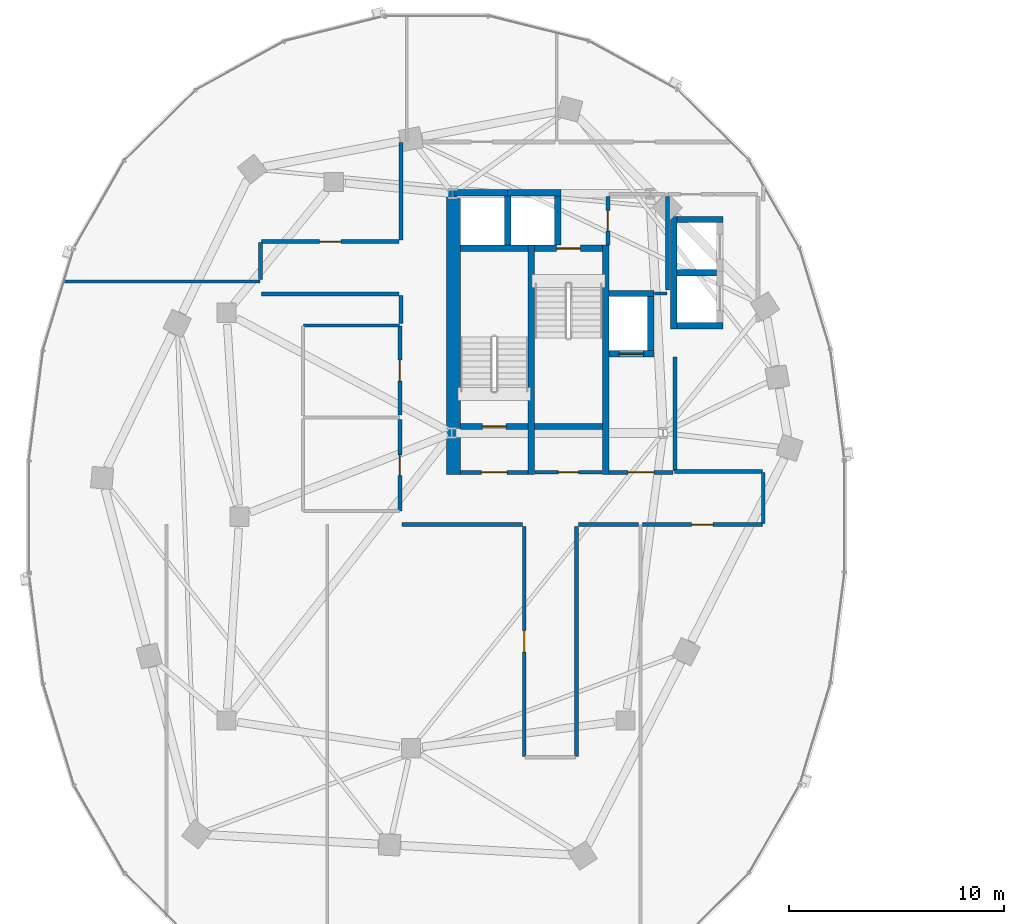
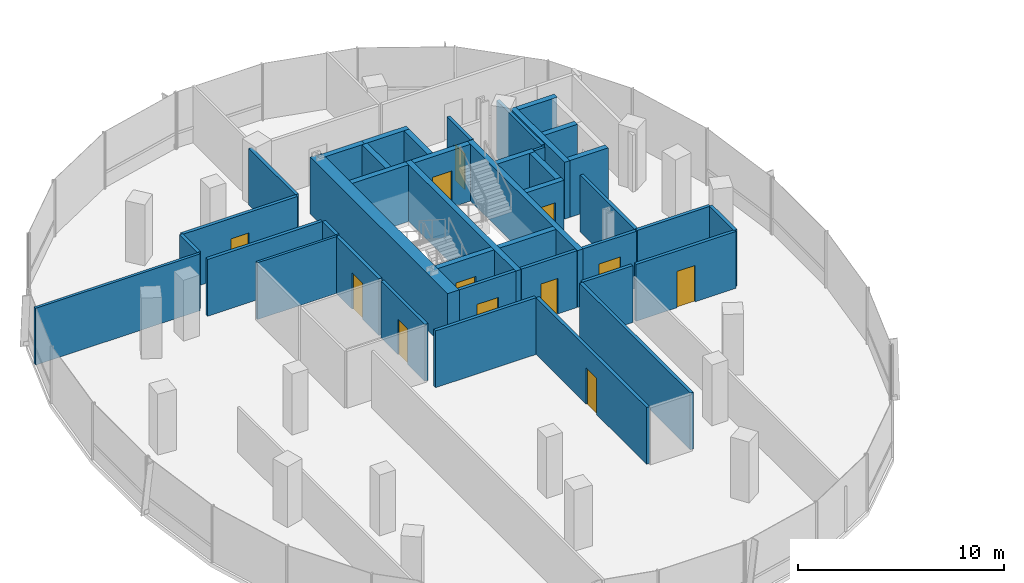
# One storey, part 12 of 22: 41 walls, 12 doors, 12 openings.
"""IFC4 building model written with IfcOpenShell, lengths in metres."""

import ifcopenshell
import ifcopenshell.guid

model = None  # the IFC model being written
_history = None  # IfcOwnerHistory: only IFC2X3 demands one
_inside = {}  # id of a spatial element -> (the spatial element, [elements in it])
_under = {}  # id of a project, library or spatial element -> (it, [spatial elements below it])
_declared = {}  # id of a project -> (the project, [libraries it declares])
_typed = {}  # id of a type object -> (the type object, [elements of that type])
_made_of = {}  # id of a material, layer set ... -> (it, [elements and type objects made of it])


def new_model(schema):
    """Start an empty IFC model of exactly this schema.

    Asked for "IFC4X3", IfcOpenShell would pick the latest addendum, in which some entities
    have other attributes; the version numbers below select the first issue.
    IFC2X3 requires an IfcOwnerHistory on every rooted entity: one is made here for all.
    """
    global model, _history
    if schema == "IFC4X3":
        model = ifcopenshell.file(schema_version=(4, 3, 0, 0))
    else:
        model = ifcopenshell.file(schema=schema)
    _inside.clear()
    _under.clear()
    _declared.clear()
    _typed.clear()
    _made_of.clear()
    _history = None
    if model.schema == "IFC2X3":
        org = make("IfcOrganization", Name="unknown")
        user = make(
            "IfcPersonAndOrganization",
            ThePerson=make("IfcPerson", FamilyName="unknown"),
            TheOrganization=org,
        )
        app = make(
            "IfcApplication",
            ApplicationDeveloper=org,
            Version="unknown",
            ApplicationFullName="unknown",
            ApplicationIdentifier="unknown",
        )
        _history = make(
            "IfcOwnerHistory",
            OwningUser=user,
            OwningApplication=app,
            ChangeAction="ADDED",
            CreationDate=0,
        )
    return model


def make(cls, **values):
    """One entity of the class cls with the attributes given. An attribute that is None is left unset."""
    return model.create_entity(
        cls, **{name: value for name, value in values.items() if value is not None}
    )


def rooted(cls, **values):
    """An entity with a GlobalId (a new one), such as an element, a storey or a relation."""
    return make(cls, GlobalId=ifcopenshell.guid.new(), OwnerHistory=_history, **values)


def si_unit(unit_type, name, prefix=None):
    """IfcSIUnit, for example si_unit("LENGTHUNIT", "METRE", prefix="MILLI")."""
    return make("IfcSIUnit", UnitType=unit_type, Prefix=prefix, Name=name)


def assignment(units):
    """IfcUnitAssignment: the units of a project."""
    return None if units is None else make("IfcUnitAssignment", Units=units)


def point(xyz):
    """IfcCartesianPoint."""
    return None if xyz is None else make("IfcCartesianPoint", Coordinates=xyz)


def direction(xyz):
    """IfcDirection."""
    return None if xyz is None else make("IfcDirection", DirectionRatios=xyz)


def frame(location, z_axis=None, x_axis=None):
    """IfcAxis2Placement3D, a coordinate frame: its origin and axes. An axis left out is left unset."""
    return make(
        "IfcAxis2Placement3D",
        Location=point(location),
        Axis=direction(z_axis),
        RefDirection=direction(x_axis),
    )


def frame_2d(location, x_axis=None):
    """IfcAxis2Placement2D, a coordinate frame in the plane: its origin and x axis."""
    return make(
        "IfcAxis2Placement2D", Location=point(location), RefDirection=direction(x_axis)
    )


def origin():
    """The frame at (0, 0, 0) with its axes left unset."""
    return frame((0.0, 0.0, 0.0))


def place(relative_to, where):
    """IfcLocalPlacement: puts the frame where relative to a parent placement (None: the world)."""
    return make(
        "IfcLocalPlacement", PlacementRelTo=relative_to, RelativePlacement=where
    )


def context(
    kind, dimensions, precision=None, world=None, true_north=None, identifier=None
):
    """IfcGeometricRepresentationContext, for example the 3D "Model" context."""
    return make(
        "IfcGeometricRepresentationContext",
        ContextIdentifier=identifier,
        ContextType=kind,
        CoordinateSpaceDimension=dimensions,
        Precision=precision,
        WorldCoordinateSystem=world,
        TrueNorth=true_north,
    )


def subcontext(parent, identifier, kind, view, scale=None):
    """IfcGeometricRepresentationSubContext, for example "Body" below "Model"."""
    return make(
        "IfcGeometricRepresentationSubContext",
        ContextIdentifier=identifier,
        ContextType=kind,
        ParentContext=parent,
        TargetScale=scale,
        TargetView=view,
    )


def project(units=None, contexts=None):
    """IfcProject with its units and contexts."""
    return rooted(
        "IfcProject",
        Name="project",
        RepresentationContexts=contexts,
        UnitsInContext=assignment(units),
    )


def spatial(cls, under=None, at=None, **own):
    """A site, building, storey or space (cls), placed at a placement, below another one or the project."""
    s = rooted(cls, ObjectPlacement=at, **own)
    if under is not None:
        _under.setdefault(under.id(), (under, []))[1].append(s)
    return s


def profile(cls, at=None, kind="AREA", **sizes):
    """A parametric profile (cls). Its sizes go by their IFC names, for example OverallWidth=200.0."""
    return make(cls, ProfileType=kind, Position=at, **sizes)


def rectangle(**sizes):
    """IfcRectangleProfileDef."""
    return profile("IfcRectangleProfileDef", **sizes)


def extrude(swept, where, along, depth):
    """IfcExtrudedAreaSolid: the profile swept, set in the frame where, extruded along a direction by depth."""
    return make(
        "IfcExtrudedAreaSolid",
        SweptArea=swept,
        Position=where,
        ExtrudedDirection=direction(along),
        Depth=depth,
    )


def shape(context_of_items, identifier, shape_type, items):
    """IfcShapeRepresentation: the items that make up one representation, for example the "Body"."""
    return make(
        "IfcShapeRepresentation",
        ContextOfItems=context_of_items,
        RepresentationIdentifier=identifier,
        RepresentationType=shape_type,
        Items=items,
    )


def material(Name=None, Category=None):
    """IfcMaterial."""
    return make("IfcMaterial", Name=Name, Category=Category)


def layer(
    of_material, thickness, ventilated=None, Name=None, Category=None, Priority=None
):
    """IfcMaterialLayer: one layer of a wall or slab, of a material (None: an air gap)."""
    return make(
        "IfcMaterialLayer",
        Material=of_material,
        LayerThickness=thickness,
        IsVentilated=ventilated,
        Name=Name,
        Category=Category,
        Priority=Priority,
    )


def layer_set(layers, Name=None):
    """IfcMaterialLayerSet."""
    return make("IfcMaterialLayerSet", MaterialLayers=layers, LayerSetName=Name)


def made_of(thing, what):
    """Note that an element or type object is made of a material, layer set ...; save() writes the relation."""
    if what is not None:
        _made_of.setdefault(what.id(), (what, []))[1].append(thing)
    return thing


def type_object(cls, material=None, **own):
    """A type object (cls), such as IfcWallType, which elements share."""
    return made_of(rooted(cls, **own), material)


def element(
    cls,
    number,
    at=None,
    inside=None,
    cuts=None,
    type_object=None,
    material=None,
    context=None,
    identifier="Body",
    shape_type=None,
    held_by="IfcProductDefinitionShape",
    body=None,
    shapes=None,
    **own,
):
    """One element of the class cls, such as IfcWall. Its Tag is "e" and its number.

    at: its placement. inside: the storey or other place that contains it. cuts: it is an
    opening in that element (IfcRelVoidsElement). A single representation is given by context,
    identifier, shape_type and body (its items); several are given by shapes. held_by: the class
    of the entity that holds the representations. save() writes the other relations.
    """
    e = rooted(cls, Tag="e%d" % number, ObjectPlacement=at, **own)
    if body is not None:
        shapes = [shape(context, identifier, shape_type, body)]
    if shapes is not None:
        e.Representation = make(held_by, Representations=shapes)
    if inside is not None:
        _inside.setdefault(inside.id(), (inside, []))[1].append(e)
    if cuts is not None:
        rooted(
            "IfcRelVoidsElement", RelatingBuildingElement=cuts, RelatedOpeningElement=e
        )
    if type_object is not None:
        _typed.setdefault(type_object.id(), (type_object, []))[1].append(e)
    return made_of(e, material)


def fill(opening, filler):
    """IfcRelFillsElement: the door or window that sits in an opening."""
    return rooted(
        "IfcRelFillsElement",
        RelatingOpeningElement=opening,
        RelatedBuildingElement=filler,
    )


def aggregate(whole, parts):
    """IfcRelAggregates: a whole, such as a stair, and the parts it consists of."""
    return rooted("IfcRelAggregates", RelatingObject=whole, RelatedObjects=parts)


def save(model, path):
    """Write the relations noted so far, then the file.

    IfcRelAggregates (storeys below a building ...), IfcRelContainedInSpatialStructure (elements
    in a storey), IfcRelDefinesByType, IfcRelAssociatesMaterial and IfcRelDeclares: one each for
    every whole, place, type object, material and project.
    """
    for whole, parts in _under.values():
        aggregate(whole, parts)
    for where, things in _inside.values():
        rooted(
            "IfcRelContainedInSpatialStructure",
            RelatedElements=things,
            RelatingStructure=where,
        )
    for kind, things in _typed.values():
        rooted("IfcRelDefinesByType", RelatedObjects=things, RelatingType=kind)
    for what, things in _made_of.values():
        rooted("IfcRelAssociatesMaterial", RelatedObjects=things, RelatingMaterial=what)
    for by, libraries in _declared.values():
        rooted("IfcRelDeclares", RelatingContext=by, RelatedDefinitions=libraries)
    model.write(path)


model = new_model("IFC4")

# Units and contexts
model_context = context("Model", 3, precision=1e-05, world=origin(), true_north=direction((0.0, 1.0)))
body_context = subcontext(model_context, "Body", "Model", "MODEL_VIEW")
ifc_project = project(units=[si_unit("LENGTHUNIT", "METRE"), si_unit("AREAUNIT", "SQUARE_METRE"), si_unit("VOLUMEUNIT", "CUBIC_METRE"), si_unit("PLANEANGLEUNIT", "RADIAN"), si_unit("MASSUNIT", "GRAM", prefix="KILO"), si_unit("THERMODYNAMICTEMPERATUREUNIT", "KELVIN"), si_unit("POWERUNIT", "WATT")], contexts=[model_context])

# Site, building, storey
site_placement = place(None, origin())
site = spatial("IfcSite", under=ifc_project, at=site_placement, CompositionType="ELEMENT")
building_placement = place(site_placement, origin())
building = spatial("IfcBuilding", under=site, at=building_placement, Name="Cundina Bronze Exchange", CompositionType="ELEMENT")
storey_placement = place(building_placement, frame((0.0, 0.0, 136.800048828125)))
storey = spatial("IfcBuildingStorey", under=building, at=storey_placement, Name="L35", CompositionType="ELEMENT", Elevation=136.800048828125)

# Wall
ifc_material_1 = material(Name="Gypsum Fireboard Partition EI120")
ifc_layer_1 = layer(ifc_material_1, 0.179931640625, Name="Gypsum Fireboard Partition EI120")
ifc_layer_set_1 = layer_set([ifc_layer_1], Name="Gypsum Fireboard Partition EI120")
wall_type_1 = type_object("IfcWallType", Name="WL-COR-180", PredefinedType="PARTITIONING", material=ifc_layer_set_1)
wall_1_placement = place(storey_placement, frame((-20.889892578125, 2.14990234375, 0.0), z_axis=(0.0, 0.0, 1.0), x_axis=(0.0, 1.0, 0.0)))
element("IfcWall", 1, at=wall_1_placement, inside=storey, type_object=wall_type_1, Name="L35 W Firefighting Lobby Side Wall", PredefinedType="PARTITIONING", context=body_context, shape_type="SweptSolid", body=[
    extrude(rectangle(XDim=5.300048828125, YDim=0.179931640625, at=frame_2d((2.64990234375, 0.0))), origin(), (0.0, 0.0, 1.0), 3.35986328125),
])

# Wall, opening, door
wall_2_placement = place(storey_placement, frame((-23.97998046875, 2.06005859375, 0.0), z_axis=(0.0, 0.0, 1.0), x_axis=(1.0, 0.0, 0.0)))
wall_2 = element("IfcWall", 2, at=wall_2_placement, inside=storey, type_object=wall_type_1, Name="L35 W Firefighting Lobby Exit Wall", PredefinedType="PARTITIONING", context=body_context, shape_type="SweptSolid", body=[
    extrude(rectangle(XDim=3.0, YDim=0.179931640625, at=frame_2d((1.5, 0.0))), origin(), (0.0, 0.0, 1.0), 3.35986328125),
])
opening_1_placement = place(wall_2_placement, frame((0.89990234375, 0.0, 0.0)))
opening_1 = element("IfcOpeningElement", 3, at=opening_1_placement, cuts=wall_2, Name="Opening DF-01", PredefinedType="OPENING", context=body_context, shape_type="SweptSolid", body=[
    extrude(rectangle(XDim=1.199951171875, YDim=2.14990234375, at=frame_2d((0.60009765625, 1.074951171875))), frame((0.0, 0.099853515625, 0.0), z_axis=(0.0, -1.0, 0.0), x_axis=(1.0, 0.0, 0.0)), (0.0, 0.0, 1.0), 0.199951171875),
])
ifc_material_2 = material(Name="Steel ASTM A36 Painted", Category="steel")
door_type_1 = type_object("IfcDoorType", Name="DR-FFL-1200", OperationType="NOTDEFINED", PredefinedType="DOOR", material=ifc_material_2)
door_1_placement = place(opening_1_placement, origin())
door_1 = element("IfcDoor", 4, at=door_1_placement, inside=storey, type_object=door_type_1, Name="L35 W Firefighting Lobby Door", OperationType="SINGLE_SWING_RIGHT", OverallHeight=2.14990234375, OverallWidth=1.199951171875, PredefinedType="DOOR", context=body_context, shape_type="SweptSolid", body=[
    extrude(rectangle(XDim=1.199951171875, YDim=2.14990234375, at=frame_2d((0.60009765625, 1.074951171875))), frame((0.0, 0.02490234375, 0.0), z_axis=(0.0, -1.0, 0.0), x_axis=(1.0, 0.0, 0.0)), (0.0, 0.0, 1.0), 0.050048828125),
])
fill(opening_1, door_1)

wall_3_placement = place(storey_placement, frame((-30.89990234375, 2.06005859375, 0.0), z_axis=(0.0, 0.0, 1.0), x_axis=(1.0, 0.0, 0.0)))
wall_3 = element("IfcWall", 5, at=wall_3_placement, inside=storey, type_object=wall_type_1, Name="L35 W Stair Vestibule Exit Wall", PredefinedType="PARTITIONING", context=body_context, shape_type="SweptSolid", body=[
    extrude(rectangle(XDim=3.159912109375, YDim=0.179931640625, at=frame_2d((1.580078125, 0.0))), origin(), (0.0, 0.0, 1.0), 3.35986328125),
])
opening_2_placement = place(wall_3_placement, frame((0.97998046875, 0.0, 0.0)))
opening_2 = element("IfcOpeningElement", 6, at=opening_2_placement, cuts=wall_3, Name="Opening DF-01", PredefinedType="OPENING", context=body_context, shape_type="SweptSolid", body=[
    extrude(rectangle(XDim=1.199951171875, YDim=2.14990234375, at=frame_2d((0.60009765625, 1.074951171875))), frame((0.0, 0.099853515625, 0.0), z_axis=(0.0, -1.0, 0.0), x_axis=(1.0, 0.0, 0.0)), (0.0, 0.0, 1.0), 0.199951171875),
])
door_2_placement = place(opening_2_placement, origin())
door_2 = element("IfcDoor", 7, at=door_2_placement, inside=storey, type_object=door_type_1, Name="L35 W Stair Vestibule Door", OperationType="SINGLE_SWING_LEFT", OverallHeight=2.14990234375, OverallWidth=1.199951171875, PredefinedType="DOOR", context=body_context, shape_type="SweptSolid", body=[
    extrude(rectangle(XDim=1.199951171875, YDim=2.14990234375, at=frame_2d((0.60009765625, 1.074951171875))), frame((0.0, 0.02490234375, 0.0), z_axis=(0.0, -1.0, 0.0), x_axis=(1.0, 0.0, 0.0)), (0.0, 0.0, 1.0), 0.050048828125),
])
fill(opening_2, door_2)

# Wall
wall_4_placement = place(storey_placement, frame((-21.25, 10.570068359375, 0.0), z_axis=(0.0, 0.0, 1.0), x_axis=(0.0, 1.0, 0.0)))
element("IfcWall", 8, at=wall_4_placement, inside=storey, type_object=wall_type_1, Name="L35 Interior Partition 005", PredefinedType="PARTITIONING", context=body_context, shape_type="SweptSolid", body=[
    extrude(rectangle(XDim=4.35986328125, YDim=0.179931640625, at=frame_2d((2.179931640625, 0.0))), origin(), (0.0, 0.0, 1.0), 3.35986328125),
])

# Wall, opening, door
wall_5_placement = place(storey_placement, frame((-27.419921875, 2.070068359375, 0.0), z_axis=(0.0, 0.0, 1.0), x_axis=(1.0, 0.0, 0.0)))
wall_5 = element("IfcWall", 9, at=wall_5_placement, inside=storey, type_object=wall_type_1, Name="L35 Interior Partition 007", PredefinedType="PARTITIONING", context=body_context, shape_type="SweptSolid", body=[
    extrude(rectangle(XDim=3.119873046875, YDim=0.179931640625, at=frame_2d((1.56005859375, 0.0))), origin(), (0.0, 0.0, 1.0), 3.35986328125),
])
opening_3_placement = place(wall_5_placement, frame((1.0849609375, 0.0, 0.0)))
opening_3 = element("IfcOpeningElement", 10, at=opening_3_placement, cuts=wall_5, Name="Opening DW-01", PredefinedType="OPENING", context=body_context, shape_type="SweptSolid", body=[
    extrude(rectangle(XDim=0.949951171875, YDim=2.10009765625, at=frame_2d((0.47509765625, 1.050048828125))), frame((0.0, 0.099853515625, 0.0), z_axis=(0.0, -1.0, 0.0), x_axis=(1.0, 0.0, 0.0)), (0.0, 0.0, 1.0), 0.199951171875),
])
ifc_material_3 = material(Name="Solid Andean Oak Timber Grade A", Category="wood")
door_type_2 = type_object("IfcDoorType", Name="DR-WC-950", OperationType="NOTDEFINED", PredefinedType="DOOR", material=ifc_material_3)
door_3_placement = place(opening_3_placement, origin())
door_3 = element("IfcDoor", 11, at=door_3_placement, inside=storey, type_object=door_type_2, Name="L35 Interior Door 007", OperationType="SINGLE_SWING_RIGHT", OverallHeight=2.10009765625, OverallWidth=0.949951171875, PredefinedType="DOOR", context=body_context, shape_type="SweptSolid", body=[
    extrude(rectangle(XDim=0.949951171875, YDim=2.10009765625, at=frame_2d((0.47509765625, 1.050048828125))), frame((0.0, 0.02490234375, 0.0), z_axis=(0.0, -1.0, 0.0), x_axis=(1.0, 0.0, 0.0)), (0.0, 0.0, 1.0), 0.050048828125),
])
fill(opening_3, door_3)

wall_6_placement = place(storey_placement, frame((-24.02001953125, 12.669921875, 0.0), z_axis=(0.0, 0.0, 1.0), x_axis=(0.0, 1.0, 0.0)))
wall_6 = element("IfcWall", 12, at=wall_6_placement, inside=storey, type_object=wall_type_1, Name="L35 Interior Partition 008", PredefinedType="PARTITIONING", context=body_context, shape_type="SweptSolid", body=[
    extrude(rectangle(XDim=2.260009765625, YDim=0.179931640625, at=frame_2d((1.1298828125, 0.0))), origin(), (0.0, 0.0, 1.0), 3.35986328125),
])
opening_4_placement = place(wall_6_placement, frame((0.655029296875, 0.0, 0.0)))
opening_4 = element("IfcOpeningElement", 13, at=opening_4_placement, cuts=wall_6, Name="Opening DW-01", PredefinedType="OPENING", context=body_context, shape_type="SweptSolid", body=[
    extrude(rectangle(XDim=0.949951171875, YDim=2.10009765625, at=frame_2d((0.47509765625, 1.050048828125))), frame((0.0, 0.099853515625, 0.0), z_axis=(0.0, -1.0, 0.0), x_axis=(1.0, 0.0, 0.0)), (0.0, 0.0, 1.0), 0.199951171875),
])
door_4_placement = place(opening_4_placement, origin())
door_4 = element("IfcDoor", 14, at=door_4_placement, inside=storey, type_object=door_type_2, Name="L35 Interior Door 008", OperationType="SINGLE_SWING_RIGHT", OverallHeight=2.10009765625, OverallWidth=0.949951171875, PredefinedType="DOOR", context=body_context, shape_type="SweptSolid", body=[
    extrude(rectangle(XDim=0.949951171875, YDim=2.10009765625, at=frame_2d((0.47509765625, 1.050048828125))), frame((0.0, 0.02490234375, 0.0), z_axis=(0.0, -1.0, 0.0), x_axis=(1.0, 0.0, 0.0)), (0.0, 0.0, 1.0), 0.050048828125),
])
fill(opening_4, door_4)

wall_7_placement = place(storey_placement, frame((-33.719970703125, 0.27001953125, 0.0), z_axis=(0.0, 0.0, 1.0), x_axis=(0.0, 1.0, 0.0)))
wall_7 = element("IfcWall", 15, at=wall_7_placement, inside=storey, type_object=wall_type_1, Name="L35 Interior Partition 014", PredefinedType="PARTITIONING", context=body_context, shape_type="SweptSolid", body=[
    extrude(rectangle(XDim=4.260009765625, YDim=0.179931640625, at=frame_2d((2.1298828125, 0.0))), origin(), (0.0, 0.0, 1.0), 3.35986328125),
])
opening_5_placement = place(wall_7_placement, frame((1.655029296875, 0.0, 0.0)))
opening_5 = element("IfcOpeningElement", 16, at=opening_5_placement, cuts=wall_7, Name="Opening DW-01", PredefinedType="OPENING", context=body_context, shape_type="SweptSolid", body=[
    extrude(rectangle(XDim=0.949951171875, YDim=2.10009765625, at=frame_2d((0.47509765625, 1.050048828125))), frame((0.0, 0.099853515625, 0.0), z_axis=(0.0, -1.0, 0.0), x_axis=(1.0, 0.0, 0.0)), (0.0, 0.0, 1.0), 0.199951171875),
])
door_5_placement = place(opening_5_placement, origin())
door_5 = element("IfcDoor", 17, at=door_5_placement, inside=storey, type_object=door_type_2, Name="L35 Interior Door 014", OperationType="SINGLE_SWING_LEFT", OverallHeight=2.10009765625, OverallWidth=0.949951171875, PredefinedType="DOOR", context=body_context, shape_type="SweptSolid", body=[
    extrude(rectangle(XDim=0.949951171875, YDim=2.10009765625, at=frame_2d((0.47509765625, 1.050048828125))), frame((0.0, 0.02490234375, 0.0), z_axis=(0.0, -1.0, 0.0), x_axis=(1.0, 0.0, 0.0)), (0.0, 0.0, 1.0), 0.050048828125),
])
fill(opening_5, door_5)

wall_8_placement = place(storey_placement, frame((-33.719970703125, 4.72998046875, 0.0), z_axis=(0.0, 0.0, 1.0), x_axis=(0.0, 1.0, 0.0)))
wall_8 = element("IfcWall", 18, at=wall_8_placement, inside=storey, type_object=wall_type_1, Name="L35 Interior Partition 015", PredefinedType="PARTITIONING", context=body_context, shape_type="SweptSolid", body=[
    extrude(rectangle(XDim=4.159912109375, YDim=0.179931640625, at=frame_2d((2.080078125, 0.0))), origin(), (0.0, 0.0, 1.0), 3.35986328125),
])
opening_6_placement = place(wall_8_placement, frame((1.580078125, 0.0, 0.0)))
opening_6 = element("IfcOpeningElement", 19, at=opening_6_placement, cuts=wall_8, Name="Opening DO-01", PredefinedType="OPENING", context=body_context, shape_type="SweptSolid", body=[
    extrude(rectangle(XDim=1.0, YDim=2.14990234375, at=frame_2d((0.5, 1.074951171875))), frame((0.0, 0.099853515625, 0.0), z_axis=(0.0, -1.0, 0.0), x_axis=(1.0, 0.0, 0.0)), (0.0, 0.0, 1.0), 0.199951171875),
])
door_type_3 = type_object("IfcDoorType", Name="DR-OFF-1000", OperationType="NOTDEFINED", PredefinedType="DOOR", material=ifc_material_3)
door_6_placement = place(opening_6_placement, origin())
door_6 = element("IfcDoor", 20, at=door_6_placement, inside=storey, type_object=door_type_3, Name="L35 Interior Door 015", OperationType="SINGLE_SWING_LEFT", OverallHeight=2.14990234375, OverallWidth=1.0, PredefinedType="DOOR", context=body_context, shape_type="SweptSolid", body=[
    extrude(rectangle(XDim=1.0, YDim=2.14990234375, at=frame_2d((0.5, 1.074951171875))), frame((0.0, 0.02490234375, 0.0), z_axis=(0.0, -1.0, 0.0), x_axis=(1.0, 0.0, 0.0)), (0.0, 0.0, 1.0), 0.050048828125),
])
fill(opening_6, door_6)

wall_9_placement = place(storey_placement, frame((-27.919921875, -0.449951171875, 0.0), z_axis=(0.0, 0.0, 1.0), x_axis=(0.0, -1.0, 0.0)))
wall_9 = element("IfcWall", 21, at=wall_9_placement, inside=storey, type_object=wall_type_1, Name="L35 Interior Partition 022", PredefinedType="PARTITIONING", context=body_context, shape_type="SweptSolid", body=[
    extrude(rectangle(XDim=10.728515625, YDim=0.179931640625, at=frame_2d((5.3642578125, 0.0))), origin(), (0.0, 0.0, 1.0), 3.35986328125),
])
opening_7_placement = place(wall_9_placement, frame((4.8642578125, 0.0, 0.0)))
opening_7 = element("IfcOpeningElement", 22, at=opening_7_placement, cuts=wall_9, Name="Opening DO-01", PredefinedType="OPENING", context=body_context, shape_type="SweptSolid", body=[
    extrude(rectangle(XDim=1.0, YDim=2.14990234375, at=frame_2d((0.5, 1.074951171875))), frame((0.0, 0.099853515625, 0.0), z_axis=(0.0, -1.0, 0.0), x_axis=(1.0, 0.0, 0.0)), (0.0, 0.0, 1.0), 0.199951171875),
])
door_7_placement = place(opening_7_placement, origin())
door_7 = element("IfcDoor", 23, at=door_7_placement, inside=storey, type_object=door_type_3, Name="L35 Interior Door 022", OperationType="SINGLE_SWING_RIGHT", OverallHeight=2.14990234375, OverallWidth=1.0, PredefinedType="DOOR", context=body_context, shape_type="SweptSolid", body=[
    extrude(rectangle(XDim=1.0, YDim=2.14990234375, at=frame_2d((0.5, 1.074951171875))), frame((0.0, 0.02490234375, 0.0), z_axis=(0.0, -1.0, 0.0), x_axis=(1.0, 0.0, 0.0)), (0.0, 0.0, 1.0), 0.050048828125),
])
fill(opening_7, door_7)

# Walls
wall_10_placement = place(storey_placement, frame((-25.47998046875, -11.178466796875, 0.0), z_axis=(0.0, 0.0, 1.0), x_axis=(0.0, 1.0, 0.0)))
element("IfcWall", 24, at=wall_10_placement, inside=storey, type_object=wall_type_1, Name="L35 Interior Partition 023", PredefinedType="PARTITIONING", context=body_context, shape_type="SweptSolid", body=[
    extrude(rectangle(XDim=10.728515625, YDim=0.179931640625, at=frame_2d((5.3642578125, 0.0))), origin(), (0.0, 0.0, 1.0), 3.35986328125),
])
wall_11_placement = place(storey_placement, frame((-40.178466796875, 10.3798828125, 0.0), z_axis=(0.0, 0.0, 1.0), x_axis=(1.0, 0.0, 0.0)))
element("IfcWall", 25, at=wall_11_placement, inside=storey, type_object=wall_type_1, Name="L35 Interior Partition 024", PredefinedType="PARTITIONING", context=body_context, shape_type="SweptSolid", body=[
    extrude(rectangle(XDim=6.428466796875, YDim=0.179931640625, at=frame_2d((3.21435546875, 0.0))), origin(), (0.0, 0.0, 1.0), 3.35986328125),
])
wall_12_placement = place(storey_placement, frame((-33.62841796875, -0.3701171875, 0.0), z_axis=(0.0, 0.0, 1.0), x_axis=(1.0, 0.0, 0.0)))
element("IfcWall", 26, at=wall_12_placement, inside=storey, type_object=wall_type_1, Name="L35 Interior Partition 025", PredefinedType="PARTITIONING", context=body_context, shape_type="SweptSolid", body=[
    extrude(rectangle(XDim=5.62841796875, YDim=0.179931640625, at=frame_2d((2.814208984375, 0.0))), origin(), (0.0, 0.0, 1.0), 3.35986328125),
])
wall_13_placement = place(storey_placement, frame((-25.39990234375, -0.3701171875, 0.0), z_axis=(0.0, 0.0, 1.0), x_axis=(1.0, 0.0, 0.0)))
element("IfcWall", 27, at=wall_13_placement, inside=storey, type_object=wall_type_1, Name="L35 Interior Partition 026", PredefinedType="PARTITIONING", context=body_context, shape_type="SweptSolid", body=[
    extrude(rectangle(XDim=2.809814453125, YDim=0.179931640625, at=frame_2d((1.40478515625, 0.0))), origin(), (0.0, 0.0, 1.0), 3.35986328125),
])
wall_14_placement = place(storey_placement, frame((-33.669921875, 10.300048828125, 0.0), z_axis=(0.0, 0.0, 1.0), x_axis=(0.0, -1.0, 0.0)))
element("IfcWall", 28, at=wall_14_placement, inside=storey, type_object=wall_type_1, Name="L35 Interior Partition 028", PredefinedType="PARTITIONING", context=body_context, shape_type="SweptSolid", body=[
    extrude(rectangle(XDim=1.298583984375, YDim=0.179931640625, at=frame_2d((0.6494140625, 0.0))), origin(), (0.0, 0.0, 1.0), 3.35986328125),
])

# Wall, opening, door
wall_15_placement = place(storey_placement, frame((-22.409912109375, -0.3701171875, 0.0), z_axis=(0.0, 0.0, 1.0), x_axis=(1.0, 0.0, 0.0)))
wall_15 = element("IfcWall", 29, at=wall_15_placement, inside=storey, type_object=wall_type_1, Name="L35 Interior Partition 029", PredefinedType="PARTITIONING", context=body_context, shape_type="SweptSolid", body=[
    extrude(rectangle(XDim=5.58837890625, YDim=0.179931640625, at=frame_2d((2.794189453125, 0.0))), origin(), (0.0, 0.0, 1.0), 3.35986328125),
])
opening_8_placement = place(wall_15_placement, frame((2.294189453125, 0.0, 0.0)))
opening_8 = element("IfcOpeningElement", 30, at=opening_8_placement, cuts=wall_15, Name="Opening DO-01", PredefinedType="OPENING", context=body_context, shape_type="SweptSolid", body=[
    extrude(rectangle(XDim=1.0, YDim=2.14990234375, at=frame_2d((0.5, 1.074951171875))), frame((0.0, 0.099853515625, 0.0), z_axis=(0.0, -1.0, 0.0), x_axis=(1.0, 0.0, 0.0)), (0.0, 0.0, 1.0), 0.199951171875),
])
door_8_placement = place(opening_8_placement, origin())
door_8 = element("IfcDoor", 31, at=door_8_placement, inside=storey, type_object=door_type_3, Name="L35 Interior Door 029", OperationType="SINGLE_SWING_RIGHT", OverallHeight=2.14990234375, OverallWidth=1.0, PredefinedType="DOOR", context=body_context, shape_type="SweptSolid", body=[
    extrude(rectangle(XDim=1.0, YDim=2.14990234375, at=frame_2d((0.5, 1.074951171875))), frame((0.0, 0.02490234375, 0.0), z_axis=(0.0, -1.0, 0.0), x_axis=(1.0, 0.0, 0.0)), (0.0, 0.0, 1.0), 0.050048828125),
])
fill(opening_8, door_8)

# Walls
wall_16_placement = place(storey_placement, frame((-16.821533203125, 2.10009765625, 0.0), z_axis=(0.0, 0.0, 1.0), x_axis=(-1.0, 0.0, 0.0)))
element("IfcWall", 32, at=wall_16_placement, inside=storey, type_object=wall_type_1, Name="L35 Interior Partition 030", PredefinedType="PARTITIONING", context=body_context, shape_type="SweptSolid", body=[
    extrude(rectangle(XDim=4.098388671875, YDim=0.179931640625, at=frame_2d((2.04931640625, 0.0))), origin(), (0.0, 0.0, 1.0), 3.35986328125),
])
wall_17_placement = place(storey_placement, frame((-16.780029296875, -0.32861328125, 0.0), z_axis=(0.0, 0.0, 1.0), x_axis=(0.0, 1.0, 0.0)))
element("IfcWall", 33, at=wall_17_placement, inside=storey, type_object=wall_type_1, Name="L35 Interior Partition 031", PredefinedType="PARTITIONING", context=body_context, shape_type="SweptSolid", body=[
    extrude(rectangle(XDim=2.38720703125, YDim=0.179931640625, at=frame_2d((1.193603515625, 0.0))), origin(), (0.0, 0.0, 1.0), 3.35986328125),
])

# Wall, opening, door
wall_18_placement = place(storey_placement, frame((-33.75, 12.820068359375, 0.0), z_axis=(0.0, 0.0, 1.0), x_axis=(-1.0, 0.0, 0.0)))
wall_18 = element("IfcWall", 34, at=wall_18_placement, inside=storey, type_object=wall_type_1, Name="L35 Interior Partition 033", PredefinedType="PARTITIONING", context=body_context, shape_type="SweptSolid", body=[
    extrude(rectangle(XDim=6.428466796875, YDim=0.179931640625, at=frame_2d((3.21435546875, 0.0))), origin(), (0.0, 0.0, 1.0), 3.35986328125),
])
opening_9_placement = place(wall_18_placement, frame((2.714111328125, 0.0, 0.0)))
opening_9 = element("IfcOpeningElement", 35, at=opening_9_placement, cuts=wall_18, Name="Opening DO-01", PredefinedType="OPENING", context=body_context, shape_type="SweptSolid", body=[
    extrude(rectangle(XDim=1.0, YDim=2.14990234375, at=frame_2d((0.5, 1.074951171875))), frame((0.0, 0.099853515625, 0.0), z_axis=(0.0, -1.0, 0.0), x_axis=(1.0, 0.0, 0.0)), (0.0, 0.0, 1.0), 0.199951171875),
])
door_9_placement = place(opening_9_placement, origin())
door_9 = element("IfcDoor", 36, at=door_9_placement, inside=storey, type_object=door_type_3, Name="L35 Interior Door 033", OperationType="SINGLE_SWING_LEFT", OverallHeight=2.14990234375, OverallWidth=1.0, PredefinedType="DOOR", context=body_context, shape_type="SweptSolid", body=[
    extrude(rectangle(XDim=1.0, YDim=2.14990234375, at=frame_2d((0.5, 1.074951171875))), frame((0.0, 0.02490234375, 0.0), z_axis=(0.0, -1.0, 0.0), x_axis=(1.0, 0.0, 0.0)), (0.0, 0.0, 1.0), 0.050048828125),
])
fill(opening_9, door_9)

# Walls
wall_19_placement = place(storey_placement, frame((-33.669921875, 17.428466796875, 0.0), z_axis=(0.0, 0.0, 1.0), x_axis=(0.0, -1.0, 0.0)))
element("IfcWall", 37, at=wall_19_placement, inside=storey, type_object=wall_type_1, Name="L35 Interior Partition 034", PredefinedType="PARTITIONING", context=body_context, shape_type="SweptSolid", body=[
    extrude(rectangle(XDim=4.528564453125, YDim=0.179931640625, at=frame_2d((2.26416015625, 0.0))), origin(), (0.0, 0.0, 1.0), 3.35986328125),
])
wall_20_placement = place(storey_placement, frame((-40.219970703125, 12.778564453125, 0.0), z_axis=(0.0, 0.0, 1.0), x_axis=(0.0, -1.0, 0.0)))
element("IfcWall", 38, at=wall_20_placement, inside=storey, type_object=wall_type_1, Name="L35 Interior Partition 035", PredefinedType="PARTITIONING", context=body_context, shape_type="SweptSolid", body=[
    extrude(rectangle(XDim=1.728515625, YDim=0.179931640625, at=frame_2d((0.8642578125, 0.0))), origin(), (0.0, 0.0, 1.0), 3.35986328125),
])
ifc_material_4 = material(Name="Concrete C50/60", Category="concrete")
ifc_layer_2 = layer(ifc_material_4, 0.64990234375, Name="Concrete C50/60", Category="concrete")
ifc_layer_set_2 = layer_set([ifc_layer_2], Name="Concrete C50/60")
wall_type_2 = type_object("IfcWallType", Name="WL-CORE-650", PredefinedType="SHEAR", material=ifc_layer_set_2)
wall_21_placement = place(storey_placement, frame((-31.22509765625, 1.969970703125, 0.0), z_axis=(0.0, 0.0, 1.0), x_axis=(0.0, 1.0, 0.0)))
element("IfcWall", 39, at=wall_21_placement, inside=storey, type_object=wall_type_2, Name="L35 W Primary Core Shear Spine Wall", PredefinedType="SHEAR", context=body_context, shape_type="SweptSolid", body=[
    extrude(rectangle(XDim=13.330078125, YDim=0.64990234375, at=frame_2d((6.6650390625, 0.0))), origin(), (0.0, 0.0, 1.0), 3.35986328125),
])
ifc_layer_3 = layer(ifc_material_4, 0.300048828125, Name="Concrete C50/60", Category="concrete")
ifc_layer_set_3 = layer_set([ifc_layer_3], Name="Concrete C50/60")
wall_type_3 = type_object("IfcWallType", Name="WL-SHFT-300", PredefinedType="SHEAR", material=ifc_layer_set_3)
for number, where, z_axis, x_axis, name in (
    (40, (-27.590087890625, 1.969970703125, 0.0), (0.0, 0.0, 1.0), (0.0, 1.0, 0.0), "L35 W Stair Shaft Dividing Shear Wall"),
    (41, (-24.1298828125, 1.969970703125, 0.0), (0.0, 0.0, 1.0), (0.0, 1.0, 0.0), "L35 W Stair 2 East Shear Wall"),
):
    element("IfcWall", number, at=place(storey_placement, frame(where, z_axis=z_axis, x_axis=x_axis)), inside=storey, type_object=wall_type_3, Name=name, PredefinedType="SHEAR", context=body_context, shape_type="SweptSolid", body=[
        extrude(rectangle(XDim=10.679931640625, YDim=0.300048828125, at=frame_2d((5.33984375, 0.0))), origin(), (0.0, 0.0, 1.0), 3.35986328125),
    ])

# Wall, opening, door
wall_22_placement = place(storey_placement, frame((-30.89990234375, 4.199951171875, 0.0), z_axis=(0.0, 0.0, 1.0), x_axis=(1.0, 0.0, 0.0)))
wall_22 = element("IfcWall", 42, at=wall_22_placement, inside=storey, type_object=wall_type_3, Name="L35 Stair W1 Landing Wall", PredefinedType="SHEAR", context=body_context, shape_type="SweptSolid", body=[
    extrude(rectangle(XDim=3.159912109375, YDim=0.300048828125, at=frame_2d((1.580078125, 0.0))), origin(), (0.0, 0.0, 1.0), 3.35986328125),
])
opening_10_placement = place(wall_22_placement, frame((1.030029296875, 0.0, 0.0)))
opening_10 = element("IfcOpeningElement", 43, at=opening_10_placement, cuts=wall_22, Name="Opening DS-01", PredefinedType="OPENING", context=body_context, shape_type="SweptSolid", body=[
    extrude(rectangle(XDim=1.10009765625, YDim=2.14990234375, at=frame_2d((0.550048828125, 1.074951171875))), frame((0.0, 0.159912109375, 0.0), z_axis=(0.0, -1.0, 0.0), x_axis=(1.0, 0.0, 0.0)), (0.0, 0.0, 1.0), 0.320068359375),
])
door_type_4 = type_object("IfcDoorType", Name="DR-STR-1100", OperationType="NOTDEFINED", PredefinedType="DOOR", material=ifc_material_2)
door_10_placement = place(opening_10_placement, origin())
door_10 = element("IfcDoor", 44, at=door_10_placement, inside=storey, type_object=door_type_4, Name="L35 Smokeproof Stair W1 Door", OperationType="SINGLE_SWING_RIGHT", OverallHeight=2.14990234375, OverallWidth=1.10009765625, PredefinedType="DOOR", context=body_context, shape_type="SweptSolid", body=[
    extrude(rectangle(XDim=1.10009765625, YDim=2.14990234375, at=frame_2d((0.550048828125, 1.074951171875))), frame((0.0, 0.02490234375, 0.0), z_axis=(0.0, -1.0, 0.0), x_axis=(1.0, 0.0, 0.0)), (0.0, 0.0, 1.0), 0.050048828125),
])
fill(opening_10, door_10)

# Wall
wall_23_placement = place(storey_placement, frame((-30.89990234375, 12.5, 0.0), z_axis=(0.0, 0.0, 1.0), x_axis=(1.0, 0.0, 0.0)))
element("IfcWall", 45, at=wall_23_placement, inside=storey, type_object=wall_type_3, Name="L35 Stair W1 Far Shaft Wall", PredefinedType="SHEAR", context=body_context, shape_type="SweptSolid", body=[
    extrude(rectangle(XDim=3.159912109375, YDim=0.300048828125, at=frame_2d((1.580078125, 0.0))), origin(), (0.0, 0.0, 1.0), 3.35986328125),
])

# Wall, opening, door
wall_24_placement = place(storey_placement, frame((-27.43994140625, 12.5, 0.0), z_axis=(0.0, 0.0, 1.0), x_axis=(1.0, 0.0, 0.0)))
wall_24 = element("IfcWall", 46, at=wall_24_placement, inside=storey, type_object=wall_type_3, Name="L35 Stair W2 Landing Wall", PredefinedType="SHEAR", context=body_context, shape_type="SweptSolid", body=[
    extrude(rectangle(XDim=3.159912109375, YDim=0.300048828125, at=frame_2d((1.580078125, 0.0))), origin(), (0.0, 0.0, 1.0), 3.35986328125),
])
opening_11_placement = place(wall_24_placement, frame((1.030029296875, 0.0, 0.0)))
opening_11 = element("IfcOpeningElement", 47, at=opening_11_placement, cuts=wall_24, Name="Opening DS-01", PredefinedType="OPENING", context=body_context, shape_type="SweptSolid", body=[
    extrude(rectangle(XDim=1.10009765625, YDim=2.14990234375, at=frame_2d((0.550048828125, 1.074951171875))), frame((0.0, 0.159912109375, 0.0), z_axis=(0.0, -1.0, 0.0), x_axis=(1.0, 0.0, 0.0)), (0.0, 0.0, 1.0), 0.320068359375),
])
door_11_placement = place(opening_11_placement, origin())
door_11 = element("IfcDoor", 48, at=door_11_placement, inside=storey, type_object=door_type_4, Name="L35 Smokeproof Stair W2 Door", OperationType="SINGLE_SWING_LEFT", OverallHeight=2.14990234375, OverallWidth=1.10009765625, PredefinedType="DOOR", context=body_context, shape_type="SweptSolid", body=[
    extrude(rectangle(XDim=1.10009765625, YDim=2.14990234375, at=frame_2d((0.550048828125, 1.074951171875))), frame((0.0, 0.02490234375, 0.0), z_axis=(0.0, -1.0, 0.0), x_axis=(1.0, 0.0, 0.0)), (0.0, 0.0, 1.0), 0.050048828125),
])
fill(opening_11, door_11)

# Wall
wall_25_placement = place(storey_placement, frame((-27.43994140625, 4.199951171875, 0.0), z_axis=(0.0, 0.0, 1.0), x_axis=(1.0, 0.0, 0.0)))
element("IfcWall", 49, at=wall_25_placement, inside=storey, type_object=wall_type_3, Name="L35 Stair W2 Far Shaft Wall", PredefinedType="SHEAR", context=body_context, shape_type="SweptSolid", body=[
    extrude(rectangle(XDim=3.159912109375, YDim=0.300048828125, at=frame_2d((1.580078125, 0.0))), origin(), (0.0, 0.0, 1.0), 3.35986328125),
])

# Wall, opening, door
wall_26_placement = place(storey_placement, frame((-23.97998046875, 7.60009765625, 0.0), z_axis=(0.0, 0.0, 1.0), x_axis=(1.0, 0.0, 0.0)))
wall_26 = element("IfcWall", 50, at=wall_26_placement, inside=storey, type_object=wall_type_3, Name="L35 FFL-W Hoistway Front Wall", PredefinedType="SHEAR", context=body_context, shape_type="SweptSolid", body=[
    extrude(rectangle(XDim=2.10009765625, YDim=0.300048828125, at=frame_2d((1.050048828125, 0.0))), origin(), (0.0, 0.0, 1.0), 3.35986328125),
])
opening_12_placement = place(wall_26_placement, frame((0.47509765625, 0.0, 0.0)))
opening_12 = element("IfcOpeningElement", 51, at=opening_12_placement, cuts=wall_26, Name="Opening LD-01", PredefinedType="OPENING", context=body_context, shape_type="SweptSolid", body=[
    extrude(rectangle(XDim=1.14990234375, YDim=2.199951171875, at=frame_2d((0.574951171875, 1.10009765625))), frame((0.0, 0.159912109375, 0.0), z_axis=(0.0, -1.0, 0.0), x_axis=(1.0, 0.0, 0.0)), (0.0, 0.0, 1.0), 0.320068359375),
])
door_type_5 = type_object("IfcDoorType", Name="DR-LND-1150", OperationType="NOTDEFINED", PredefinedType="TRAPDOOR", material=ifc_material_2)
door_12_placement = place(opening_12_placement, origin())
door_12 = element("IfcDoor", 52, at=door_12_placement, inside=storey, type_object=door_type_5, Name="L35 FFL-W Sliding Landing Door", OperationType="SLIDING_TO_LEFT", OverallHeight=2.199951171875, OverallWidth=1.14990234375, PredefinedType="TRAPDOOR", context=body_context, shape_type="SweptSolid", body=[
    extrude(rectangle(XDim=1.14990234375, YDim=2.199951171875, at=frame_2d((0.574951171875, 1.10009765625))), frame((0.0, 0.02490234375, 0.0), z_axis=(0.0, -1.0, 0.0), x_axis=(1.0, 0.0, 0.0)), (0.0, 0.0, 1.0), 0.050048828125),
])
fill(opening_12, door_12)

# Walls
wall_27_placement = place(storey_placement, frame((-23.97998046875, 10.39990234375, 0.0), z_axis=(0.0, 0.0, 1.0), x_axis=(1.0, 0.0, 0.0)))
element("IfcWall", 53, at=wall_27_placement, inside=storey, type_object=wall_type_3, Name="L35 FFL-W Hoistway Back Wall", PredefinedType="SHEAR", context=body_context, shape_type="SweptSolid", body=[
    extrude(rectangle(XDim=2.10009765625, YDim=0.300048828125, at=frame_2d((1.050048828125, 0.0))), origin(), (0.0, 0.0, 1.0), 3.35986328125),
])
for number, where, z_axis, x_axis, name in (
    (54, (-22.030029296875, 7.75, 0.0), (0.0, 0.0, 1.0), (0.0, 1.0, 0.0), "L35 FFL-W Hoistway Side Wall"),
    (55, (-31.199951171875, 15.10009765625, 0.0), (0.0, 0.0, 1.0), (1.0, 0.0, 0.0), "L35 PH-W1 Hoistway Front Wall"),
):
    element("IfcWall", number, at=place(storey_placement, frame(where, z_axis=z_axis, x_axis=x_axis)), inside=storey, type_object=wall_type_3, Name=name, PredefinedType="SHEAR", context=body_context, shape_type="SweptSolid", body=[
        extrude(rectangle(XDim=2.5, YDim=0.300048828125, at=frame_2d((1.25, 0.0))), origin(), (0.0, 0.0, 1.0), 3.35986328125),
    ])
wall_28_placement = place(storey_placement, frame((-28.699951171875, 12.64990234375, 0.0), z_axis=(0.0, 0.0, 1.0), x_axis=(0.0, 1.0, 0.0)))
element("IfcWall", 56, at=wall_28_placement, inside=storey, type_object=wall_type_3, Name="L35 PH-W1 Hoistway Divider Wall", PredefinedType="SHEAR", context=body_context, shape_type="SweptSolid", body=[
    extrude(rectangle(XDim=2.300048828125, YDim=0.300048828125, at=frame_2d((1.14990234375, 0.0))), origin(), (0.0, 0.0, 1.0), 3.35986328125),
])
wall_29_placement = place(storey_placement, frame((-28.699951171875, 15.10009765625, 0.0), z_axis=(0.0, 0.0, 1.0), x_axis=(1.0, 0.0, 0.0)))
element("IfcWall", 57, at=wall_29_placement, inside=storey, type_object=wall_type_3, Name="L35 PH-W2 Hoistway Front Wall", PredefinedType="SHEAR", context=body_context, shape_type="SweptSolid", body=[
    extrude(rectangle(XDim=2.5, YDim=0.300048828125, at=frame_2d((1.25, 0.0))), origin(), (0.0, 0.0, 1.0), 3.35986328125),
])
wall_30_placement = place(storey_placement, frame((-26.35009765625, 12.64990234375, 0.0), z_axis=(0.0, 0.0, 1.0), x_axis=(0.0, 1.0, 0.0)))
element("IfcWall", 58, at=wall_30_placement, inside=storey, type_object=wall_type_3, Name="L35 PH-W2 Hoistway Divider Wall", PredefinedType="SHEAR", context=body_context, shape_type="SweptSolid", body=[
    extrude(rectangle(XDim=2.300048828125, YDim=0.300048828125, at=frame_2d((1.14990234375, 0.0))), origin(), (0.0, 0.0, 1.0), 3.35986328125),
])
wall_31_placement = place(storey_placement, frame((-20.949951171875, 8.75, 0.0), z_axis=(0.0, 0.0, 1.0), x_axis=(0.0, 1.0, 0.0)))
element("IfcWall", 59, at=wall_31_placement, inside=storey, type_object=wall_type_3, Name="L35 W Passenger Bank Hoistway Back Wall", PredefinedType="SHEAR", context=body_context, shape_type="SweptSolid", body=[
    extrude(rectangle(XDim=5.25, YDim=0.300048828125, at=frame_2d((2.625, 0.0))), origin(), (0.0, 0.0, 1.0), 3.35986328125),
])
for number, where, z_axis, x_axis, name in (
    (60, (-20.800048828125, 8.89990234375, 0.0), (0.0, 0.0, 1.0), (1.0, 0.0, 0.0), "L35 W Passenger Bank South Cap Wall"),
    (61, (-20.800048828125, 13.85009765625, 0.0), (0.0, 0.0, 1.0), (1.0, 0.0, 0.0), "L35 W Passenger Bank North Cap Wall"),
):
    element("IfcWall", number, at=place(storey_placement, frame(where, z_axis=z_axis, x_axis=x_axis)), inside=storey, type_object=wall_type_3, Name=name, PredefinedType="SHEAR", context=body_context, shape_type="SweptSolid", body=[
        extrude(rectangle(XDim=2.150146484375, YDim=0.300048828125, at=frame_2d((1.0751953125, 0.0))), origin(), (0.0, 0.0, 1.0), 3.35986328125),
    ])
wall_32_placement = place(storey_placement, frame((-20.800048828125, 11.375, 0.0), z_axis=(0.0, 0.0, 1.0), x_axis=(1.0, 0.0, 0.0)))
element("IfcWall", 62, at=wall_32_placement, inside=storey, type_object=wall_type_3, Name="L35 W Passenger Hoistway Divider 1", PredefinedType="SHEAR", context=body_context, shape_type="SweptSolid", body=[
    extrude(rectangle(XDim=1.85009765625, YDim=0.300048828125, at=frame_2d((0.925048828125, 0.0))), origin(), (0.0, 0.0, 1.0), 3.35986328125),
])
ifc_material_5 = material(Name="Gypsum Acoustic Partition EI60")
ifc_layer_4 = layer(ifc_material_5, 0.14990234375, Name="Gypsum Acoustic Partition EI60")
ifc_layer_set_4 = layer_set([ifc_layer_4], Name="Gypsum Acoustic Partition EI60")
wall_type_4 = type_object("IfcWallType", Name="WL-TEN-150", PredefinedType="PARTITIONING", material=ifc_layer_set_4)
wall_33_placement = place(storey_placement, frame((-49.454345703125, 10.9599609375, 0.0), z_axis=(0.0, 0.0, 1.0), x_axis=(1.0, 0.0, 0.0)))
element("IfcWall", 63, at=wall_33_placement, inside=storey, type_object=wall_type_4, Name="L35 Interior Partition 019", PredefinedType="PARTITIONING", context=body_context, shape_type="SweptSolid", body=[
    extrude(rectangle(XDim=9.204345703125, YDim=0.14990234375, at=frame_2d((4.60205078125, 0.0))), origin(), (0.0, 0.0, 1.0), 3.35986328125),
])
ifc_material_6 = material(Name="Moisture-Resistant Masonry Block Grade M15", Category="masonry")
ifc_layer_5 = layer(ifc_material_6, 0.139892578125, Name="Moisture-Resistant Masonry Block Grade M15", Category="masonry")
ifc_layer_set_5 = layer_set([ifc_layer_5], Name="Moisture-Resistant Masonry Block Grade M15")
wall_type_5 = type_object("IfcWallType", Name="WL-WET-140", PredefinedType="PARTITIONING", material=ifc_layer_set_5)
wall_34_placement = place(storey_placement, frame((-21.860107421875, 10.39990234375, 0.0), z_axis=(0.0, 0.0, 1.0), x_axis=(1.0, 0.0, 0.0)))
element("IfcWall", 64, at=wall_34_placement, inside=storey, type_object=wall_type_5, Name="L35 Interior Partition 004", PredefinedType="PARTITIONING", context=body_context, shape_type="SweptSolid", body=[
    extrude(rectangle(XDim=0.590087890625, YDim=0.139892578125, at=frame_2d((0.294921875, 0.0))), origin(), (0.0, 0.0, 1.0), 3.35986328125),
])
wall_35_placement = place(storey_placement, frame((-38.219970703125, 8.909912109375, 0.0), z_axis=(0.0, 0.0, 1.0), x_axis=(1.0, 0.0, 0.0)))
element("IfcWall", 65, at=wall_35_placement, inside=storey, type_object=wall_type_5, Name="L35 Interior Partition 013", PredefinedType="PARTITIONING", context=body_context, shape_type="SweptSolid", body=[
    extrude(rectangle(XDim=4.47998046875, YDim=0.139892578125, at=frame_2d((2.239990234375, 0.0))), origin(), (0.0, 0.0, 1.0), 3.35986328125),
])

save(model, "model.ifc")
